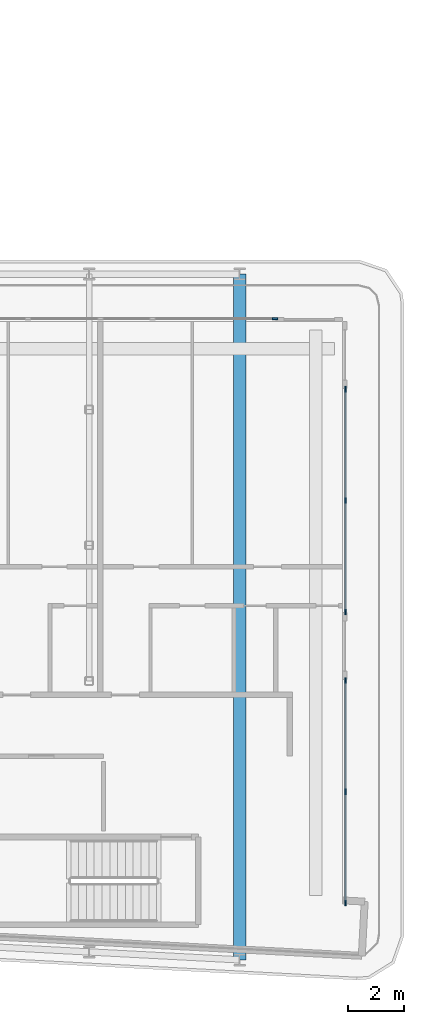
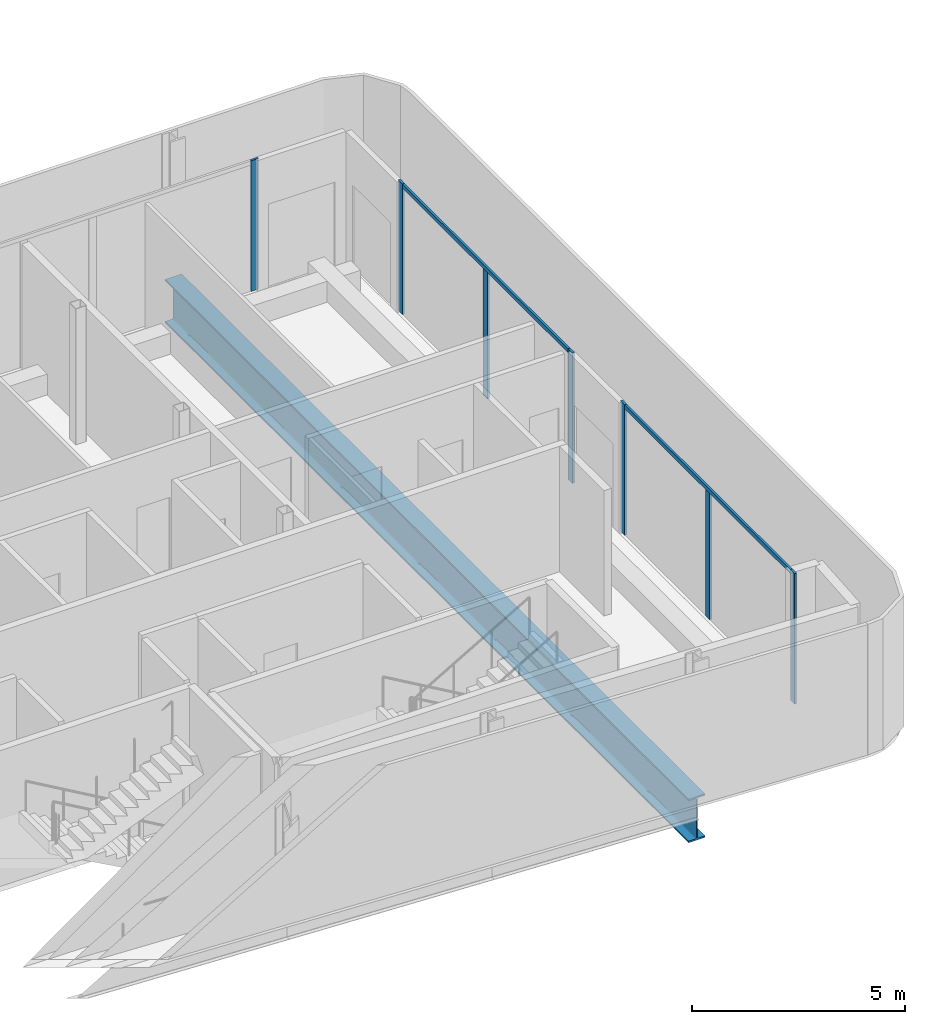
# One storey, part 10 of 29: 9 members, 1 beam, 3 elements without a shape of their own.
"""IFC4 building model written with IfcOpenShell, lengths in metres."""

from ifc_helpers import new_model, si_unit, direction, frame, origin, origin_2d, place, context, subcontext, project, spatial, rectangle, i_section, extrude, material, layer, layer_set, material_profile, profile_set, type_object, element, aggregate, save


model = new_model("IFC4")

# Units and contexts
model_context = context("Model", 3, precision=1e-05, world=origin(), true_north=direction((0.0, 1.0)))
body_context = subcontext(model_context, "Body", "Model", "MODEL_VIEW")
ifc_project = project(units=[si_unit("LENGTHUNIT", "METRE"), si_unit("AREAUNIT", "SQUARE_METRE"), si_unit("VOLUMEUNIT", "CUBIC_METRE"), si_unit("PLANEANGLEUNIT", "RADIAN"), si_unit("MASSUNIT", "GRAM", prefix="KILO")], contexts=[model_context])

# Site, building, storey
site_placement = place(None, origin())
site = spatial("IfcSite", under=ifc_project, at=site_placement, CompositionType="ELEMENT")
building_placement = place(site_placement, origin())
building = spatial("IfcBuilding", under=site, at=building_placement, Name="Kheshtan School and Residences Tower", CompositionType="ELEMENT")
storey_placement = place(building_placement, frame((0.0, 0.0, 168.199951171875)))
storey = spatial("IfcBuildingStorey", under=building, at=storey_placement, Name="L39", CompositionType="ELEMENT", Elevation=168.199951171875)

# Curtain wall, member
ifc_material_1 = material(Name="Clear low-e glass in thermally broken aluminium frame", Category="aluminium")
ifc_layer = layer(ifc_material_1, 0.199951171875)
ifc_layer_set = layer_set([ifc_layer], Name="Curtain wall CW-L")
curtain_wall_type = type_object("IfcCurtainWallType", Name="Curtain wall CW-L", PredefinedType="NOTDEFINED", material=ifc_layer_set)
curtain_wall_1_placement = place(storey_placement, origin())
curtain_wall_1 = element("IfcCurtainWall", 1, at=curtain_wall_1_placement, inside=storey, type_object=curtain_wall_type, Name="Curtain wall CWL12y", PredefinedType="NOTDEFINED")
ifc_material_2 = material(Name="Thermally broken aluminium, dark bronze anodised", Category="aluminium")
ifc_material_profile_1 = material_profile(ifc_material_2, rectangle(XDim=0.06005859375, YDim=0.199951171875, at=origin_2d()), Name="CW-L mullion 60x200")
ifc_profile_set_1 = profile_set([ifc_material_profile_1], Name="Thermally broken aluminium, dark bronze anodised")
member_type_1 = type_object("IfcMemberType", Name="CW-L mullion 60x200", PredefinedType="MULLION", material=ifc_profile_set_1)
member_1_placement = place(storey_placement, frame((92.070068359375, 44.0, 0.0), z_axis=(0.0, 0.0, 1.0), x_axis=(0.0, 1.0, 0.0)))
member_1 = element("IfcMember", 2, at=member_1_placement, type_object=member_type_1, Name="CWL12y mullion 4", PredefinedType="MULLION", context=body_context, shape_type="SweptSolid", body=[
    extrude(rectangle(XDim=0.06005859375, YDim=0.199951171875, at=origin_2d()), origin(), (0.0, 0.0, 1.0), 3.75),
])
aggregate(curtain_wall_1, [member_1])

# Curtain wall, members
curtain_wall_2_placement = place(storey_placement, origin())
curtain_wall_2 = element("IfcCurtainWall", 3, at=curtain_wall_2_placement, inside=storey, type_object=curtain_wall_type, Name="Curtain wall CWL13a", PredefinedType="NOTDEFINED")
member_2_placement = place(storey_placement, frame((94.60009765625, 41.469970703125, 0.0), z_axis=(0.0, 0.0, 1.0), x_axis=(1.0, 0.0, 0.0)))
member_2 = element("IfcMember", 4, at=member_2_placement, type_object=member_type_1, Name="CWL13a mullion 1", PredefinedType="MULLION", context=body_context, shape_type="SweptSolid", body=[
    extrude(rectangle(XDim=0.06005859375, YDim=0.199951171875, at=origin_2d()), origin(), (0.0, 0.0, 1.0), 3.75),
])
member_3_placement = place(storey_placement, frame((94.60009765625, 37.474609375, 0.0), z_axis=(0.0, 0.0, 1.0), x_axis=(1.0, 0.0, 0.0)))
member_3 = element("IfcMember", 5, at=member_3_placement, type_object=member_type_1, Name="CWL13a mullion 2", PredefinedType="MULLION", context=body_context, shape_type="SweptSolid", body=[
    extrude(rectangle(XDim=0.06005859375, YDim=0.199951171875, at=origin_2d()), origin(), (0.0, 0.0, 1.0), 3.630126953125),
])
member_4_placement = place(storey_placement, frame((94.60009765625, 33.47900390625, 0.0), z_axis=(0.0, 0.0, 1.0), x_axis=(1.0, 0.0, 0.0)))
member_4 = element("IfcMember", 6, at=member_4_placement, type_object=member_type_1, Name="CWL13a mullion 3", PredefinedType="MULLION", context=body_context, shape_type="SweptSolid", body=[
    extrude(rectangle(XDim=0.06005859375, YDim=0.199951171875, at=origin_2d()), origin(), (0.0, 0.0, 1.0), 3.75),
])

curtain_wall_3_placement = place(storey_placement, origin())
curtain_wall_3 = element("IfcCurtainWall", 7, at=curtain_wall_3_placement, inside=storey, type_object=curtain_wall_type, Name="Curtain wall CWL13a", PredefinedType="NOTDEFINED")
member_5_placement = place(storey_placement, frame((94.60009765625, 31.01904296875, 0.0), z_axis=(0.0, 0.0, 1.0), x_axis=(1.0, 0.0, 0.0)))
member_5 = element("IfcMember", 8, at=member_5_placement, type_object=member_type_1, Name="CWL13a mullion 1", PredefinedType="MULLION", context=body_context, shape_type="SweptSolid", body=[
    extrude(rectangle(XDim=0.06005859375, YDim=0.199951171875, at=origin_2d()), origin(), (0.0, 0.0, 1.0), 3.75),
])
member_6_placement = place(storey_placement, frame((94.60009765625, 27.0234375, 0.0), z_axis=(0.0, 0.0, 1.0), x_axis=(1.0, 0.0, 0.0)))
member_6 = element("IfcMember", 9, at=member_6_placement, type_object=member_type_1, Name="CWL13a mullion 2", PredefinedType="MULLION", context=body_context, shape_type="SweptSolid", body=[
    extrude(rectangle(XDim=0.06005859375, YDim=0.199951171875, at=origin_2d()), origin(), (0.0, 0.0, 1.0), 3.630126953125),
])
member_7_placement = place(storey_placement, frame((94.60009765625, 23.028076171875, 0.0), z_axis=(0.0, 0.0, 1.0), x_axis=(1.0, 0.0, 0.0)))
member_7 = element("IfcMember", 10, at=member_7_placement, type_object=member_type_1, Name="CWL13a mullion 3", PredefinedType="MULLION", context=body_context, shape_type="SweptSolid", body=[
    extrude(rectangle(XDim=0.06005859375, YDim=0.199951171875, at=origin_2d()), origin(), (0.0, 0.0, 1.0), 3.75),
])

# Member
ifc_material_profile_2 = material_profile(ifc_material_2, rectangle(XDim=0.06005859375, YDim=0.1201171875, at=origin_2d()), Name="CW-L transom 60x120")
ifc_profile_set_2 = profile_set([ifc_material_profile_2], Name="Thermally broken aluminium, dark bronze anodised")
member_type_2 = type_object("IfcMemberType", Name="CW-L transom 60x120", PredefinedType="USERDEFINED", material=ifc_profile_set_2)
member_8_placement = place(storey_placement, frame((94.60009765625, 41.43994140625, 3.68994140625), z_axis=(0.0, -1.0, 0.0), x_axis=(1.0, 0.0, 0.0)))
member_8 = element("IfcMember", 11, at=member_8_placement, type_object=member_type_2, Name="CWL13a transom 1", ObjectType="TRANSOM", PredefinedType="USERDEFINED", context=body_context, shape_type="SweptSolid", body=[
    extrude(rectangle(XDim=0.06005859375, YDim=0.1201171875, at=origin_2d()), origin(), (0.0, 0.0, 1.0), 7.930908203125),
])

aggregate(curtain_wall_2, [member_2, member_3, member_4, member_8])

member_9_placement = place(storey_placement, frame((94.60009765625, 30.989013671875, 3.68994140625), z_axis=(0.0, -1.0, 0.0), x_axis=(1.0, 0.0, 0.0)))
member_9 = element("IfcMember", 12, at=member_9_placement, type_object=member_type_2, Name="CWL13a transom 1", ObjectType="TRANSOM", PredefinedType="USERDEFINED", context=body_context, shape_type="SweptSolid", body=[
    extrude(rectangle(XDim=0.06005859375, YDim=0.1201171875, at=origin_2d()), origin(), (0.0, 0.0, 1.0), 7.930908203125),
])

aggregate(curtain_wall_3, [member_5, member_6, member_7, member_9])

# Beam
ifc_material_3 = material(Name="Steel ASTM A992 Grade 50", Category="steel")
ifc_material_profile_3 = material_profile(ifc_material_3, i_section(OverallWidth=0.449951171875, OverallDepth=1.25, WebThickness=0.02490234375, FlangeThickness=0.044921875, FilletRadius=0.03759765625, at=origin_2d()), Name="WWF1250x546")
ifc_profile_set_3 = profile_set([ifc_material_profile_3], Name="Steel ASTM A992 Grade 50")
beam_type = type_object("IfcBeamType", Name="Transfer girder TG4 WWF1250x546 ASTM A992 Grade 50", PredefinedType="BEAM", material=ifc_profile_set_3)
beam_placement = place(storey_placement, frame((90.800048828125, 45.60009765625, -0.77490234375), z_axis=(0.0, -1.0, 0.0), x_axis=(1.0, 0.0, 0.0)))
element("IfcBeam", 13, at=beam_placement, inside=storey, type_object=beam_type, Name="Transfer girder C068-C006", PredefinedType="BEAM", context=body_context, shape_type="SweptSolid", body=[
    extrude(i_section(OverallWidth=0.449951171875, OverallDepth=1.25, WebThickness=0.02490234375, FlangeThickness=0.044921875, FilletRadius=0.03759765625, at=origin_2d()), origin(), (0.0, 0.0, 1.0), 24.610107421875),
])

save(model, "model.ifc")
